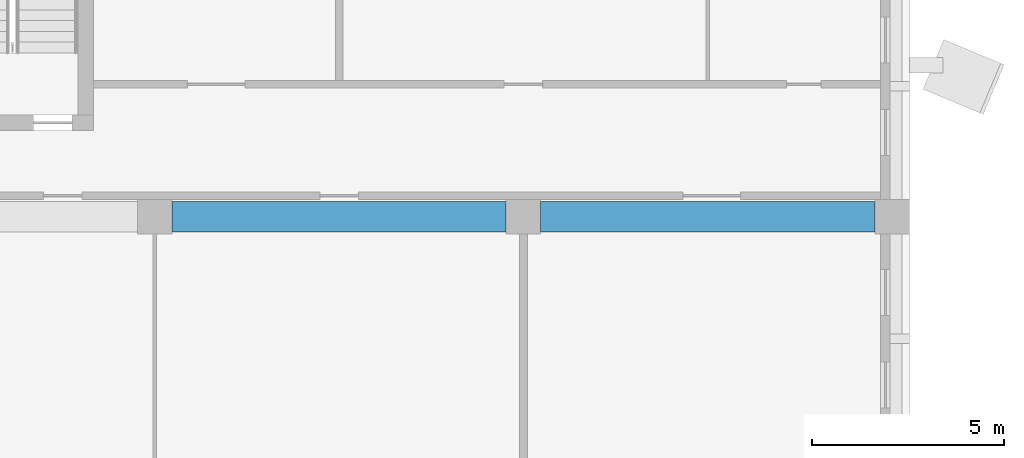
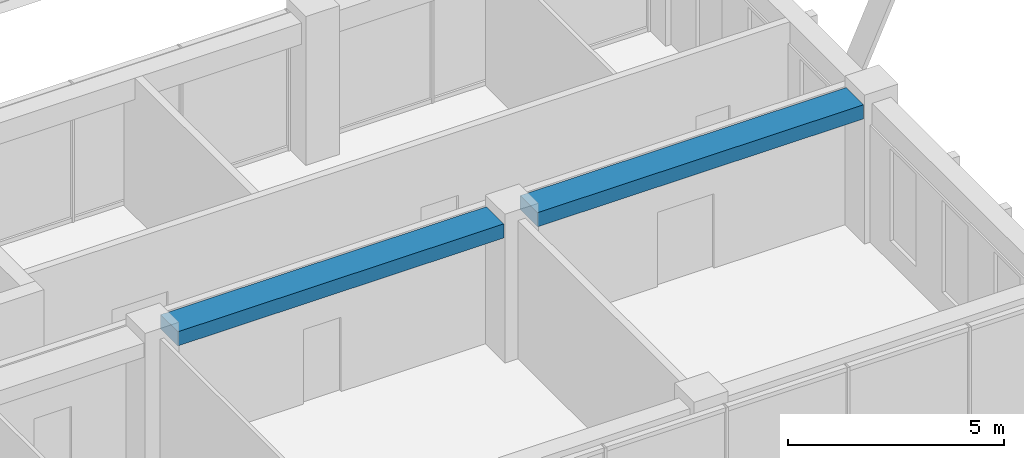
# One storey, part 13 of 36: 2 beams.
"""IFC4 building model written with IfcOpenShell, lengths in metres."""

from ifc_helpers import new_model, si_unit, direction, frame, origin, origin_2d, place, context, subcontext, project, spatial, rectangle, extrude, material, material_profile, profile_set, type_object, element, save


model = new_model("IFC4")

# Units and contexts
model_context = context("Model", 3, precision=1e-05, world=origin(), true_north=direction((0.0, 1.0)))
body_context = subcontext(model_context, "Body", "Model", "MODEL_VIEW")
ifc_project = project(units=[si_unit("LENGTHUNIT", "METRE"), si_unit("AREAUNIT", "SQUARE_METRE"), si_unit("VOLUMEUNIT", "CUBIC_METRE"), si_unit("PLANEANGLEUNIT", "RADIAN"), si_unit("MASSUNIT", "GRAM", prefix="KILO")], contexts=[model_context])

# Site, building, storey
site_placement = place(None, origin())
site = spatial("IfcSite", under=ifc_project, at=site_placement, CompositionType="ELEMENT")
building_placement = place(site_placement, origin())
building = spatial("IfcBuilding", under=site, at=building_placement, Name="Nzadi Deep Aquarium and Research Tower", CompositionType="ELEMENT")
storey_placement = place(building_placement, frame((0.0, 0.0, 44.5)))
storey = spatial("IfcBuildingStorey", under=building, at=storey_placement, Name="L08", CompositionType="ELEMENT", Elevation=44.5)

# Beams
ifc_material = material(Name="Concrete C35/45", Category="concrete")
ifc_material_profile = material_profile(ifc_material, rectangle(XDim=0.800048828125, YDim=0.39990234375, at=origin_2d()))
ifc_profile_set = profile_set([ifc_material_profile], Name="Concrete C35/45")
beam_type = type_object("IfcBeamType", Name="RC 800x400", PredefinedType="BEAM", material=ifc_profile_set)
for number, where, z_axis, x_axis, name in (
    (1, (29.25, 9.199951171875, 3.699951171875), (1.0, 0.0, 0.0), (0.0, 1.0, 0.0), "B-Z1-L08-L2-4"),
    (2, (38.85009765625, 9.199951171875, 3.699951171875), (1.0, 0.0, 0.0), (0.0, 1.0, 0.0), "B-Z1-L08-L2-5"),
):
    element("IfcBeam", number, at=place(storey_placement, frame(where, z_axis=z_axis, x_axis=x_axis)), inside=storey, type_object=beam_type, Name=name, PredefinedType="BEAM", context=body_context, shape_type="SweptSolid", body=[
        extrude(rectangle(XDim=0.800048828125, YDim=0.39990234375, at=origin_2d()), origin(), (0.0, 0.0, 1.0), 8.699951171875),
    ])

save(model, "model.ifc")
